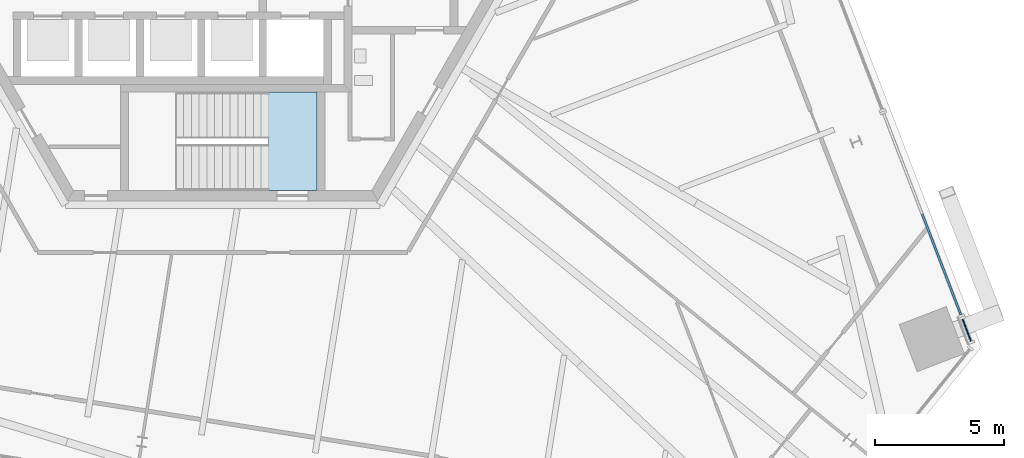
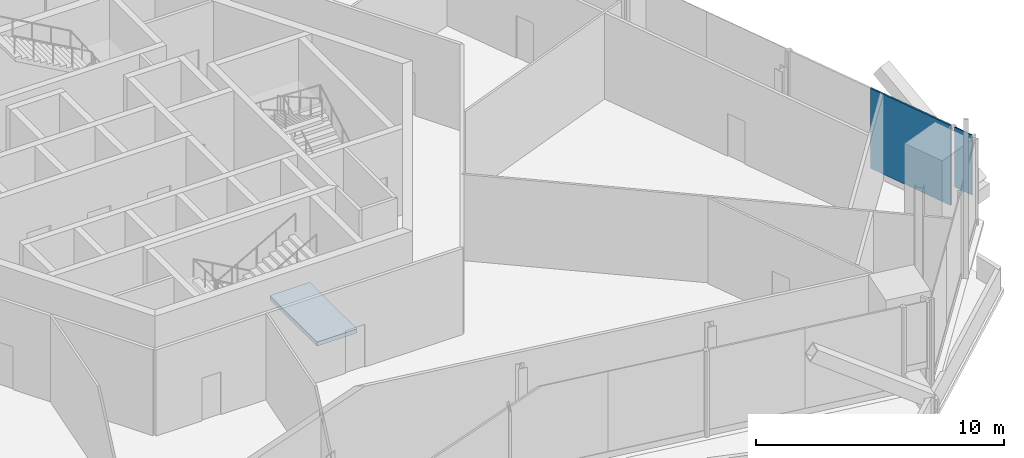
# One storey, part 10 of 22: 2 plates, 1 slab, 3 elements without a shape of their own.
"""IFC4 building model written with IfcOpenShell, lengths in metres."""

from ifc_helpers import new_model, si_unit, direction, frame, origin, origin_2d, place, context, subcontext, project, spatial, polyline, rectangle, outline, extrude, source, transform, mapped, material, layer, layer_set, type_object, element, aggregate, save


model = new_model("IFC4")

# Units and contexts
model_context = context("Model", 3, precision=1e-05, world=origin(), true_north=direction((0.0, 1.0)))
body_context = subcontext(model_context, "Body", "Model", "MODEL_VIEW")
ifc_project = project(units=[si_unit("LENGTHUNIT", "METRE"), si_unit("AREAUNIT", "SQUARE_METRE"), si_unit("VOLUMEUNIT", "CUBIC_METRE"), si_unit("PLANEANGLEUNIT", "RADIAN"), si_unit("MASSUNIT", "GRAM", prefix="KILO")], contexts=[model_context])

# Site, building, storey
site_placement = place(None, origin())
site = spatial("IfcSite", under=ifc_project, at=site_placement, CompositionType="ELEMENT")
building_placement = place(site_placement, origin())
building = spatial("IfcBuilding", under=site, at=building_placement, Name="Triune Harvest Tower", CompositionType="ELEMENT")
storey_placement = place(building_placement, frame((0.0, 0.0, 138.10009765625)))
storey = spatial("IfcBuildingStorey", under=building, at=storey_placement, Name="L35", CompositionType="ELEMENT", Elevation=138.10009765625)

# Stair, slab
ifc_material_1 = material(Name="Concrete 40 MPa", Category="concrete")
stair_type = type_object("IfcStairType", Name="Exit stair 1800 half turn", PredefinedType="HALF_TURN_STAIR", material=ifc_material_1)
stair_placement = place(storey_placement, origin())
stair = element("IfcStair", 1, at=stair_placement, inside=storey, type_object=stair_type, Name="Exit stair south", PredefinedType="HALF_TURN_STAIR")
ifc_material_2 = material(Name="Concrete 40 MPa", Category="concrete")
ifc_layer_1 = layer(ifc_material_2, 0.199951171875)
ifc_layer_set_1 = layer_set([ifc_layer_1], Name="Concrete 40 MPa")
slab_type = type_object("IfcSlabType", Name="Stair landing 200", PredefinedType="LANDING", material=ifc_layer_set_1)
shared_shape_1 = source(origin(), body_context, "Body", "SweptSolid", [
    extrude(outline(polyline([(3.64990234375, -6.18994140625), (1.780029296875, -6.18994140625), (1.780029296875, -9.989990234375), (3.64990234375, -9.989990234375), (3.64990234375, -6.18994140625)])), origin(), (0.0, 0.0, 1.0), 0.2001953125),
])
slab_placement = place(storey_placement, frame((0.0, 0.0, -0.2001953125)))
slab = element("IfcSlab", 2, at=slab_placement, type_object=slab_type, Name="ST-2 landing 1", PredefinedType="LANDING", context=body_context, shape_type="MappedRepresentation", body=[
    mapped(shared_shape_1, transform((0.0, 0.0, 0.0), scale=1.0)),
])
aggregate(stair, [slab])

# Curtain wall, plate
ifc_material_3 = material(Name="Aluminium bronze anodised", Category="aluminium")
curtain_wall_type_1 = type_object("IfcCurtainWallType", Name="CW-4 Sky lobby tall glazing wall", PredefinedType="NOTDEFINED", material=ifc_material_3)
curtain_wall_1_placement = place(storey_placement, origin())
curtain_wall_1 = element("IfcCurtainWall", 3, at=curtain_wall_1_placement, inside=storey, type_object=curtain_wall_type_1, Name="CW-4 B4-F1 L35 run 1")
ifc_material_4 = material(Name="Glass", Category="glass")
ifc_layer_2 = layer(ifc_material_4, 0.0439453125)
ifc_layer_set_2 = layer_set([ifc_layer_2], Name="Glass")
plate_type_1 = type_object("IfcPlateType", Name="GL-4 panel 44", PredefinedType="CURTAIN_PANEL", material=ifc_layer_set_2)
shared_shape_2 = source(origin(), body_context, "Body", "SweptSolid", [
    extrude(rectangle(XDim=0.916748046875, YDim=0.0439453125, at=origin_2d()), origin(), (0.0, 0.0, 1.0), 2.955078125),
])
plate_1_placement = place(storey_placement, frame((28.780029296875, -15.397216796875, 1.284912109375), z_axis=(0.0, 0.0, 1.0), x_axis=(-0.358306943376, 0.933603842285, 0.0)))
plate_1 = element("IfcPlate", 4, at=plate_1_placement, type_object=plate_type_1, Name="CW-4 panel B4-F1 1.1", PredefinedType="CURTAIN_PANEL", context=body_context, shape_type="MappedRepresentation", body=[
    mapped(shared_shape_2, transform((0.0, 0.0, 0.0), scale=1.0)),
])
aggregate(curtain_wall_1, [plate_1])

ifc_material_5 = material(Name="Aluminium bronze anodised", Category="aluminium")
curtain_wall_type_2 = type_object("IfcCurtainWallType", Name="CW-9 Sky lobby tall glazing wall with insulated spandrel infill", PredefinedType="NOTDEFINED", material=ifc_material_5)
curtain_wall_2_placement = place(storey_placement, origin())
curtain_wall_2 = element("IfcCurtainWall", 5, at=curtain_wall_2_placement, inside=storey, type_object=curtain_wall_type_2, Name="CW-9 B4-F1 L35 run 101")
ifc_material_6 = material(Name="Insulated spandrel panel, bronze aluminium pan", Category="aluminium")
ifc_layer_3 = layer(ifc_material_6, 0.080078125)
ifc_layer_set_3 = layer_set([ifc_layer_3], Name="Insulated spandrel panel, bronze aluminium pan")
plate_type_2 = type_object("IfcPlateType", Name="SP-1 insulated spandrel panel 80", PredefinedType="CURTAIN_PANEL", material=ifc_layer_set_3)
shared_shape_3 = source(origin(), body_context, "Body", "SweptSolid", [
    extrude(rectangle(XDim=4.166015625, YDim=0.080078125, at=origin_2d()), origin(), (0.0, 0.0, 1.0), 3.93994140625),
])
plate_2_placement = place(storey_placement, frame((27.804931640625, -12.8564453125, 0.300048828125), z_axis=(0.0, 0.0, 1.0), x_axis=(-0.358368900385, 0.933580061504, 0.0)))
plate_2 = element("IfcPlate", 6, at=plate_2_placement, type_object=plate_type_2, Name="CW-9 panel B4-F1 101.1", PredefinedType="CURTAIN_PANEL", context=body_context, shape_type="MappedRepresentation", body=[
    mapped(shared_shape_3, transform((0.0, 0.0, 0.0), scale=1.0)),
])
aggregate(curtain_wall_2, [plate_2])

save(model, "model.ifc")
